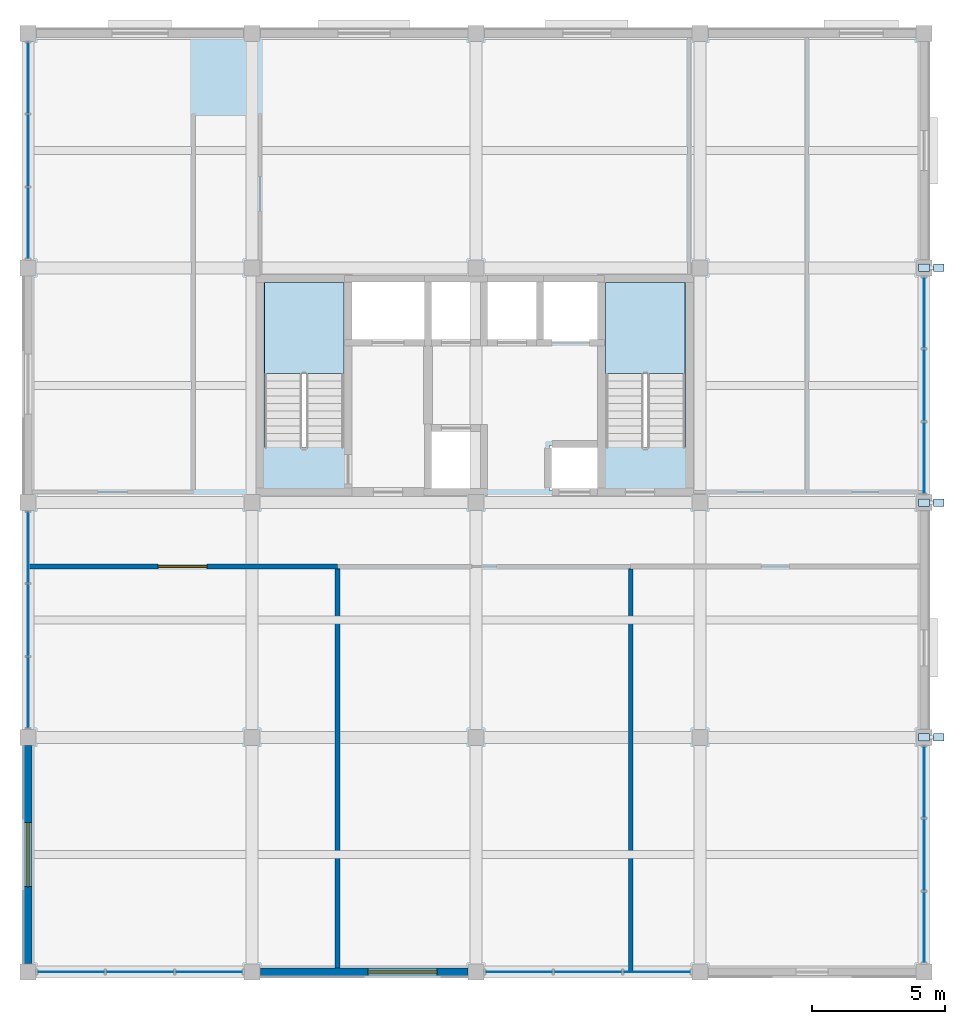
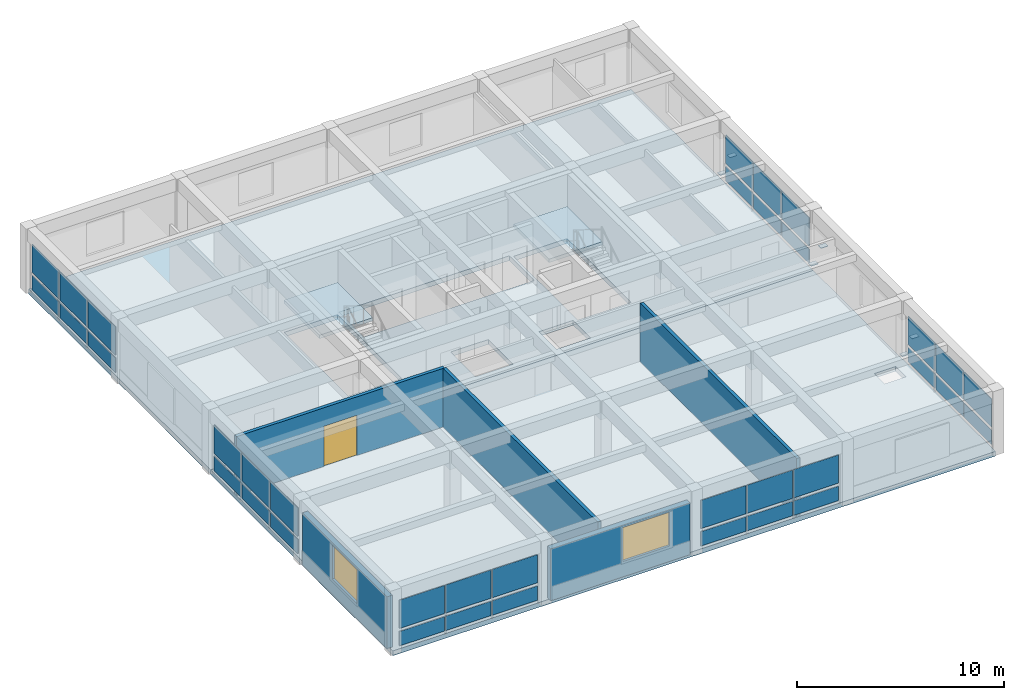
# One storey, part 6 of 12: 42 plates, 5 walls, 4 slabs, 2 windows, 1 door, 3 openings, 8 elements without a shape of their own.
"""IFC4 building model written with IfcOpenShell, lengths in metres."""

import ifcopenshell
import ifcopenshell.guid

model = None  # the IFC model being written
_history = None  # IfcOwnerHistory: only IFC2X3 demands one
_inside = {}  # id of a spatial element -> (the spatial element, [elements in it])
_under = {}  # id of a project, library or spatial element -> (it, [spatial elements below it])
_declared = {}  # id of a project -> (the project, [libraries it declares])
_typed = {}  # id of a type object -> (the type object, [elements of that type])
_made_of = {}  # id of a material, layer set ... -> (it, [elements and type objects made of it])


def new_model(schema):
    """Start an empty IFC model of exactly this schema.

    Asked for "IFC4X3", IfcOpenShell would pick the latest addendum, in which some entities
    have other attributes; the version numbers below select the first issue.
    IFC2X3 requires an IfcOwnerHistory on every rooted entity: one is made here for all.
    """
    global model, _history
    if schema == "IFC4X3":
        model = ifcopenshell.file(schema_version=(4, 3, 0, 0))
    else:
        model = ifcopenshell.file(schema=schema)
    _inside.clear()
    _under.clear()
    _declared.clear()
    _typed.clear()
    _made_of.clear()
    _history = None
    if model.schema == "IFC2X3":
        org = make("IfcOrganization", Name="unknown")
        user = make(
            "IfcPersonAndOrganization",
            ThePerson=make("IfcPerson", FamilyName="unknown"),
            TheOrganization=org,
        )
        app = make(
            "IfcApplication",
            ApplicationDeveloper=org,
            Version="unknown",
            ApplicationFullName="unknown",
            ApplicationIdentifier="unknown",
        )
        _history = make(
            "IfcOwnerHistory",
            OwningUser=user,
            OwningApplication=app,
            ChangeAction="ADDED",
            CreationDate=0,
        )
    return model


def make(cls, **values):
    """One entity of the class cls with the attributes given. An attribute that is None is left unset."""
    return model.create_entity(
        cls, **{name: value for name, value in values.items() if value is not None}
    )


def rooted(cls, **values):
    """An entity with a GlobalId (a new one), such as an element, a storey or a relation."""
    return make(cls, GlobalId=ifcopenshell.guid.new(), OwnerHistory=_history, **values)


def si_unit(unit_type, name, prefix=None):
    """IfcSIUnit, for example si_unit("LENGTHUNIT", "METRE", prefix="MILLI")."""
    return make("IfcSIUnit", UnitType=unit_type, Prefix=prefix, Name=name)


def assignment(units):
    """IfcUnitAssignment: the units of a project."""
    return None if units is None else make("IfcUnitAssignment", Units=units)


def point(xyz):
    """IfcCartesianPoint."""
    return None if xyz is None else make("IfcCartesianPoint", Coordinates=xyz)


def direction(xyz):
    """IfcDirection."""
    return None if xyz is None else make("IfcDirection", DirectionRatios=xyz)


def frame(location, z_axis=None, x_axis=None):
    """IfcAxis2Placement3D, a coordinate frame: its origin and axes. An axis left out is left unset."""
    return make(
        "IfcAxis2Placement3D",
        Location=point(location),
        Axis=direction(z_axis),
        RefDirection=direction(x_axis),
    )


def frame_2d(location, x_axis=None):
    """IfcAxis2Placement2D, a coordinate frame in the plane: its origin and x axis."""
    return make(
        "IfcAxis2Placement2D", Location=point(location), RefDirection=direction(x_axis)
    )


def origin():
    """The frame at (0, 0, 0) with its axes left unset."""
    return frame((0.0, 0.0, 0.0))


def origin_2d():
    """The frame at (0, 0) in the plane with its x axis left unset."""
    return frame_2d((0.0, 0.0))


def place(relative_to, where):
    """IfcLocalPlacement: puts the frame where relative to a parent placement (None: the world)."""
    return make(
        "IfcLocalPlacement", PlacementRelTo=relative_to, RelativePlacement=where
    )


def context(
    kind, dimensions, precision=None, world=None, true_north=None, identifier=None
):
    """IfcGeometricRepresentationContext, for example the 3D "Model" context."""
    return make(
        "IfcGeometricRepresentationContext",
        ContextIdentifier=identifier,
        ContextType=kind,
        CoordinateSpaceDimension=dimensions,
        Precision=precision,
        WorldCoordinateSystem=world,
        TrueNorth=true_north,
    )


def subcontext(parent, identifier, kind, view, scale=None):
    """IfcGeometricRepresentationSubContext, for example "Body" below "Model"."""
    return make(
        "IfcGeometricRepresentationSubContext",
        ContextIdentifier=identifier,
        ContextType=kind,
        ParentContext=parent,
        TargetScale=scale,
        TargetView=view,
    )


def project(units=None, contexts=None):
    """IfcProject with its units and contexts."""
    return rooted(
        "IfcProject",
        Name="project",
        RepresentationContexts=contexts,
        UnitsInContext=assignment(units),
    )


def spatial(cls, under=None, at=None, **own):
    """A site, building, storey or space (cls), placed at a placement, below another one or the project."""
    s = rooted(cls, ObjectPlacement=at, **own)
    if under is not None:
        _under.setdefault(under.id(), (under, []))[1].append(s)
    return s


def polyline(points):
    """IfcPolyline through the points."""
    return make("IfcPolyline", Points=[point(p) for p in points])


def profile(cls, at=None, kind="AREA", **sizes):
    """A parametric profile (cls). Its sizes go by their IFC names, for example OverallWidth=200.0."""
    return make(cls, ProfileType=kind, Position=at, **sizes)


def rectangle(**sizes):
    """IfcRectangleProfileDef."""
    return profile("IfcRectangleProfileDef", **sizes)


def outline(outer, holes=None, kind="AREA"):
    """IfcArbitraryClosedProfileDef: a profile drawn as a closed curve; with holes, ...WithVoids."""
    if holes is None:
        return make("IfcArbitraryClosedProfileDef", ProfileType=kind, OuterCurve=outer)
    return make(
        "IfcArbitraryProfileDefWithVoids",
        ProfileType=kind,
        OuterCurve=outer,
        InnerCurves=holes,
    )


def extrude(swept, where, along, depth):
    """IfcExtrudedAreaSolid: the profile swept, set in the frame where, extruded along a direction by depth."""
    return make(
        "IfcExtrudedAreaSolid",
        SweptArea=swept,
        Position=where,
        ExtrudedDirection=direction(along),
        Depth=depth,
    )


def shape(context_of_items, identifier, shape_type, items):
    """IfcShapeRepresentation: the items that make up one representation, for example the "Body"."""
    return make(
        "IfcShapeRepresentation",
        ContextOfItems=context_of_items,
        RepresentationIdentifier=identifier,
        RepresentationType=shape_type,
        Items=items,
    )


def material(Name=None, Category=None):
    """IfcMaterial."""
    return make("IfcMaterial", Name=Name, Category=Category)


def layer(
    of_material, thickness, ventilated=None, Name=None, Category=None, Priority=None
):
    """IfcMaterialLayer: one layer of a wall or slab, of a material (None: an air gap)."""
    return make(
        "IfcMaterialLayer",
        Material=of_material,
        LayerThickness=thickness,
        IsVentilated=ventilated,
        Name=Name,
        Category=Category,
        Priority=Priority,
    )


def layer_set(layers, Name=None):
    """IfcMaterialLayerSet."""
    return make("IfcMaterialLayerSet", MaterialLayers=layers, LayerSetName=Name)


def made_of(thing, what):
    """Note that an element or type object is made of a material, layer set ...; save() writes the relation."""
    if what is not None:
        _made_of.setdefault(what.id(), (what, []))[1].append(thing)
    return thing


def type_object(cls, material=None, **own):
    """A type object (cls), such as IfcWallType, which elements share."""
    return made_of(rooted(cls, **own), material)


def element(
    cls,
    number,
    at=None,
    inside=None,
    cuts=None,
    type_object=None,
    material=None,
    context=None,
    identifier="Body",
    shape_type=None,
    held_by="IfcProductDefinitionShape",
    body=None,
    shapes=None,
    **own,
):
    """One element of the class cls, such as IfcWall. Its Tag is "e" and its number.

    at: its placement. inside: the storey or other place that contains it. cuts: it is an
    opening in that element (IfcRelVoidsElement). A single representation is given by context,
    identifier, shape_type and body (its items); several are given by shapes. held_by: the class
    of the entity that holds the representations. save() writes the other relations.
    """
    e = rooted(cls, Tag="e%d" % number, ObjectPlacement=at, **own)
    if body is not None:
        shapes = [shape(context, identifier, shape_type, body)]
    if shapes is not None:
        e.Representation = make(held_by, Representations=shapes)
    if inside is not None:
        _inside.setdefault(inside.id(), (inside, []))[1].append(e)
    if cuts is not None:
        rooted(
            "IfcRelVoidsElement", RelatingBuildingElement=cuts, RelatedOpeningElement=e
        )
    if type_object is not None:
        _typed.setdefault(type_object.id(), (type_object, []))[1].append(e)
    return made_of(e, material)


def fill(opening, filler):
    """IfcRelFillsElement: the door or window that sits in an opening."""
    return rooted(
        "IfcRelFillsElement",
        RelatingOpeningElement=opening,
        RelatedBuildingElement=filler,
    )


def aggregate(whole, parts):
    """IfcRelAggregates: a whole, such as a stair, and the parts it consists of."""
    return rooted("IfcRelAggregates", RelatingObject=whole, RelatedObjects=parts)


def save(model, path):
    """Write the relations noted so far, then the file.

    IfcRelAggregates (storeys below a building ...), IfcRelContainedInSpatialStructure (elements
    in a storey), IfcRelDefinesByType, IfcRelAssociatesMaterial and IfcRelDeclares: one each for
    every whole, place, type object, material and project.
    """
    for whole, parts in _under.values():
        aggregate(whole, parts)
    for where, things in _inside.values():
        rooted(
            "IfcRelContainedInSpatialStructure",
            RelatedElements=things,
            RelatingStructure=where,
        )
    for kind, things in _typed.values():
        rooted("IfcRelDefinesByType", RelatedObjects=things, RelatingType=kind)
    for what, things in _made_of.values():
        rooted("IfcRelAssociatesMaterial", RelatedObjects=things, RelatingMaterial=what)
    for by, libraries in _declared.values():
        rooted("IfcRelDeclares", RelatingContext=by, RelatedDefinitions=libraries)
    model.write(path)


model = new_model("IFC4")

# Units and contexts
model_context = context("Model", 3, precision=1e-05, world=origin(), true_north=direction((0.0, 1.0)))
body_context = subcontext(model_context, "Body", "Model", "MODEL_VIEW")
ifc_project = project(units=[si_unit("LENGTHUNIT", "METRE"), si_unit("AREAUNIT", "SQUARE_METRE"), si_unit("VOLUMEUNIT", "CUBIC_METRE"), si_unit("PLANEANGLEUNIT", "RADIAN"), si_unit("MASSUNIT", "GRAM", prefix="KILO")], contexts=[model_context])

# Site, building, storey
site_placement = place(None, origin())
site = spatial("IfcSite", under=ifc_project, at=site_placement, CompositionType="ELEMENT")
building_placement = place(site_placement, origin())
building = spatial("IfcBuilding", under=site, at=building_placement, Name="Kemercrest Conservatory and Botanical Centre", CompositionType="ELEMENT")
storey_placement = place(building_placement, frame((0.0, 0.0, 52.199951171875)))
storey = spatial("IfcBuildingStorey", under=building, at=storey_placement, Name="L13", CompositionType="ELEMENT", Elevation=52.199951171875)

# Curtain wall, plates
ifc_material_1 = material(Name="Thermally broken aluminium and triple low-e glazing", Category="aluminium")
curtain_wall_type_1 = type_object("IfcCurtainWallType", Name="CW-14", PredefinedType="USERDEFINED", material=ifc_material_1)
curtain_wall_1_placement = place(storey_placement, origin())
curtain_wall_1 = element("IfcCurtainWall", 1, at=curtain_wall_1_placement, inside=storey, type_object=curtain_wall_type_1, Name="Unitised curtain wall CW-14 (CW:L13:V4-133)", ObjectType="UNITISED CURTAIN WALL", PredefinedType="USERDEFINED")
ifc_material_2 = material(Name="Triple low-e argon insulated glazing unit", Category="glass")
ifc_layer_1 = layer(ifc_material_2, 0.035888671875)
ifc_layer_set_1 = layer_set([ifc_layer_1], Name="Triple low-e argon insulated glazing unit")
plate_type_1 = type_object("IfcPlateType", Name="CW-PNL036", PredefinedType="CURTAIN_PANEL", material=ifc_layer_set_1)
plate_1_placement = place(storey_placement, frame((144.012939453125, 87.199951171875, 0.179931640625), z_axis=(0.0, 0.0, 1.0), x_axis=(1.0, 0.0, 0.0)))
plate_1 = element("IfcPlate", 2, at=plate_1_placement, type_object=plate_type_1, Name="CW-14 panel 1.1", PredefinedType="CURTAIN_PANEL", context=body_context, shape_type="SweptSolid", body=[
    extrude(rectangle(XDim=2.505859375, YDim=0.035888671875, at=origin_2d()), origin(), (0.0, 0.0, 1.0), 0.85009765625),
])
plate_2_placement = place(storey_placement, frame((144.012939453125, 87.199951171875, 1.2099609375), z_axis=(0.0, 0.0, 1.0), x_axis=(1.0, 0.0, 0.0)))
plate_2 = element("IfcPlate", 3, at=plate_2_placement, type_object=plate_type_1, Name="CW-14 panel 1.2", PredefinedType="CURTAIN_PANEL", context=body_context, shape_type="SweptSolid", body=[
    extrude(rectangle(XDim=2.505859375, YDim=0.035888671875, at=origin_2d()), origin(), (0.0, 0.0, 1.0), 1.6650390625),
])
plate_3_placement = place(storey_placement, frame((146.60009765625, 87.199951171875, 0.179931640625), z_axis=(0.0, 0.0, 1.0), x_axis=(1.0, 0.0, 0.0)))
plate_3 = element("IfcPlate", 4, at=plate_3_placement, type_object=plate_type_1, Name="CW-14 panel 2.1", PredefinedType="CURTAIN_PANEL", context=body_context, shape_type="SweptSolid", body=[
    extrude(rectangle(XDim=2.538330078125, YDim=0.035888671875, at=origin_2d()), origin(), (0.0, 0.0, 1.0), 0.85009765625),
])
plate_4_placement = place(storey_placement, frame((146.60009765625, 87.199951171875, 1.2099609375), z_axis=(0.0, 0.0, 1.0), x_axis=(1.0, 0.0, 0.0)))
plate_4 = element("IfcPlate", 5, at=plate_4_placement, type_object=plate_type_1, Name="CW-14 panel 2.2", PredefinedType="CURTAIN_PANEL", context=body_context, shape_type="SweptSolid", body=[
    extrude(rectangle(XDim=2.538330078125, YDim=0.035888671875, at=origin_2d()), origin(), (0.0, 0.0, 1.0), 1.6650390625),
])
plate_5_placement = place(storey_placement, frame((149.18701171875, 87.199951171875, 0.179931640625), z_axis=(0.0, 0.0, 1.0), x_axis=(1.0, 0.0, 0.0)))
plate_5 = element("IfcPlate", 6, at=plate_5_placement, type_object=plate_type_1, Name="CW-14 panel 3.1", PredefinedType="CURTAIN_PANEL", context=body_context, shape_type="SweptSolid", body=[
    extrude(rectangle(XDim=2.505859375, YDim=0.035888671875, at=origin_2d()), origin(), (0.0, 0.0, 1.0), 0.85009765625),
])
plate_6_placement = place(storey_placement, frame((149.18701171875, 87.199951171875, 1.2099609375), z_axis=(0.0, 0.0, 1.0), x_axis=(1.0, 0.0, 0.0)))
plate_6 = element("IfcPlate", 7, at=plate_6_placement, type_object=plate_type_1, Name="CW-14 panel 3.2", PredefinedType="CURTAIN_PANEL", context=body_context, shape_type="SweptSolid", body=[
    extrude(rectangle(XDim=2.505859375, YDim=0.035888671875, at=origin_2d()), origin(), (0.0, 0.0, 1.0), 1.6650390625),
])
aggregate(curtain_wall_1, [plate_1, plate_2, plate_3, plate_4, plate_5, plate_6])

curtain_wall_type_2 = type_object("IfcCurtainWallType", Name="CW-15", PredefinedType="USERDEFINED", material=ifc_material_1)
curtain_wall_2_placement = place(storey_placement, origin())
curtain_wall_2 = element("IfcCurtainWall", 8, at=curtain_wall_2_placement, inside=storey, type_object=curtain_wall_type_2, Name="Unitised curtain wall CW-15 (CW:L13:V4-134)", ObjectType="UNITISED CURTAIN WALL", PredefinedType="USERDEFINED")
plate_7_placement = place(storey_placement, frame((160.81298828125, 87.199951171875, 0.179931640625), z_axis=(0.0, 0.0, 1.0), x_axis=(1.0, 0.0, 0.0)))
plate_7 = element("IfcPlate", 9, at=plate_7_placement, type_object=plate_type_1, Name="CW-15 panel 1.1", PredefinedType="CURTAIN_PANEL", context=body_context, shape_type="SweptSolid", body=[
    extrude(rectangle(XDim=2.505859375, YDim=0.035888671875, at=origin_2d()), origin(), (0.0, 0.0, 1.0), 0.85009765625),
])
plate_8_placement = place(storey_placement, frame((160.81298828125, 87.199951171875, 1.2099609375), z_axis=(0.0, 0.0, 1.0), x_axis=(1.0, 0.0, 0.0)))
plate_8 = element("IfcPlate", 10, at=plate_8_placement, type_object=plate_type_1, Name="CW-15 panel 1.2", PredefinedType="CURTAIN_PANEL", context=body_context, shape_type="SweptSolid", body=[
    extrude(rectangle(XDim=2.505859375, YDim=0.035888671875, at=origin_2d()), origin(), (0.0, 0.0, 1.0), 1.6650390625),
])
plate_9_placement = place(storey_placement, frame((163.39990234375, 87.199951171875, 0.179931640625), z_axis=(0.0, 0.0, 1.0), x_axis=(1.0, 0.0, 0.0)))
plate_9 = element("IfcPlate", 11, at=plate_9_placement, type_object=plate_type_1, Name="CW-15 panel 2.1", PredefinedType="CURTAIN_PANEL", context=body_context, shape_type="SweptSolid", body=[
    extrude(rectangle(XDim=2.538330078125, YDim=0.035888671875, at=origin_2d()), origin(), (0.0, 0.0, 1.0), 0.85009765625),
])
plate_10_placement = place(storey_placement, frame((163.39990234375, 87.199951171875, 1.2099609375), z_axis=(0.0, 0.0, 1.0), x_axis=(1.0, 0.0, 0.0)))
plate_10 = element("IfcPlate", 12, at=plate_10_placement, type_object=plate_type_1, Name="CW-15 panel 2.2", PredefinedType="CURTAIN_PANEL", context=body_context, shape_type="SweptSolid", body=[
    extrude(rectangle(XDim=2.538330078125, YDim=0.035888671875, at=origin_2d()), origin(), (0.0, 0.0, 1.0), 1.6650390625),
])
plate_11_placement = place(storey_placement, frame((165.987060546875, 87.199951171875, 0.179931640625), z_axis=(0.0, 0.0, 1.0), x_axis=(1.0, 0.0, 0.0)))
plate_11 = element("IfcPlate", 13, at=plate_11_placement, type_object=plate_type_1, Name="CW-15 panel 3.1", PredefinedType="CURTAIN_PANEL", context=body_context, shape_type="SweptSolid", body=[
    extrude(rectangle(XDim=2.505859375, YDim=0.035888671875, at=origin_2d()), origin(), (0.0, 0.0, 1.0), 0.85009765625),
])
plate_12_placement = place(storey_placement, frame((165.987060546875, 87.199951171875, 1.2099609375), z_axis=(0.0, 0.0, 1.0), x_axis=(1.0, 0.0, 0.0)))
plate_12 = element("IfcPlate", 14, at=plate_12_placement, type_object=plate_type_1, Name="CW-15 panel 3.2", PredefinedType="CURTAIN_PANEL", context=body_context, shape_type="SweptSolid", body=[
    extrude(rectangle(XDim=2.505859375, YDim=0.035888671875, at=origin_2d()), origin(), (0.0, 0.0, 1.0), 1.6650390625),
])
aggregate(curtain_wall_2, [plate_7, plate_8, plate_9, plate_10, plate_11, plate_12])

curtain_wall_type_3 = type_object("IfcCurtainWallType", Name="CW-16", PredefinedType="USERDEFINED", material=ifc_material_1)
curtain_wall_3_placement = place(storey_placement, origin())
curtain_wall_3 = element("IfcCurtainWall", 15, at=curtain_wall_3_placement, inside=storey, type_object=curtain_wall_type_3, Name="Unitised curtain wall CW-16 (CW:L13:V4-135)", ObjectType="UNITISED CURTAIN WALL", PredefinedType="USERDEFINED")
plate_13_placement = place(storey_placement, frame((176.0, 88.879638671875, 0.179931640625), z_axis=(0.0, 0.0, 1.0), x_axis=(0.0, 1.0, 0.0)))
plate_13 = element("IfcPlate", 16, at=plate_13_placement, type_object=plate_type_1, Name="CW-16 panel 1.1", PredefinedType="CURTAIN_PANEL", context=body_context, shape_type="SweptSolid", body=[
    extrude(rectangle(XDim=2.63916015625, YDim=0.035888671875, at=origin_2d()), origin(), (0.0, 0.0, 1.0), 0.85009765625),
])
plate_14_placement = place(storey_placement, frame((176.0, 88.879638671875, 1.2099609375), z_axis=(0.0, 0.0, 1.0), x_axis=(0.0, 1.0, 0.0)))
plate_14 = element("IfcPlate", 17, at=plate_14_placement, type_object=plate_type_1, Name="CW-16 panel 1.2", PredefinedType="CURTAIN_PANEL", context=body_context, shape_type="SweptSolid", body=[
    extrude(rectangle(XDim=2.63916015625, YDim=0.035888671875, at=origin_2d()), origin(), (0.0, 0.0, 1.0), 1.6650390625),
])
plate_15_placement = place(storey_placement, frame((176.0, 91.60009765625, 0.179931640625), z_axis=(0.0, 0.0, 1.0), x_axis=(0.0, 1.0, 0.0)))
plate_15 = element("IfcPlate", 18, at=plate_15_placement, type_object=plate_type_1, Name="CW-16 panel 2.1", PredefinedType="CURTAIN_PANEL", context=body_context, shape_type="SweptSolid", body=[
    extrude(rectangle(XDim=2.671630859375, YDim=0.035888671875, at=origin_2d()), origin(), (0.0, 0.0, 1.0), 0.85009765625),
])
plate_16_placement = place(storey_placement, frame((176.0, 91.60009765625, 1.2099609375), z_axis=(0.0, 0.0, 1.0), x_axis=(0.0, 1.0, 0.0)))
plate_16 = element("IfcPlate", 19, at=plate_16_placement, type_object=plate_type_1, Name="CW-16 panel 2.2", PredefinedType="CURTAIN_PANEL", context=body_context, shape_type="SweptSolid", body=[
    extrude(rectangle(XDim=2.671630859375, YDim=0.035888671875, at=origin_2d()), origin(), (0.0, 0.0, 1.0), 1.6650390625),
])
plate_17_placement = place(storey_placement, frame((176.0, 94.3203125, 0.179931640625), z_axis=(0.0, 0.0, 1.0), x_axis=(0.0, 1.0, 0.0)))
plate_17 = element("IfcPlate", 20, at=plate_17_placement, type_object=plate_type_1, Name="CW-16 panel 3.1", PredefinedType="CURTAIN_PANEL", context=body_context, shape_type="SweptSolid", body=[
    extrude(rectangle(XDim=2.63916015625, YDim=0.035888671875, at=origin_2d()), origin(), (0.0, 0.0, 1.0), 0.85009765625),
])
plate_18_placement = place(storey_placement, frame((176.0, 94.3203125, 1.2099609375), z_axis=(0.0, 0.0, 1.0), x_axis=(0.0, 1.0, 0.0)))
plate_18 = element("IfcPlate", 21, at=plate_18_placement, type_object=plate_type_1, Name="CW-16 panel 3.2", PredefinedType="CURTAIN_PANEL", context=body_context, shape_type="SweptSolid", body=[
    extrude(rectangle(XDim=2.63916015625, YDim=0.035888671875, at=origin_2d()), origin(), (0.0, 0.0, 1.0), 1.6650390625),
])
aggregate(curtain_wall_3, [plate_13, plate_14, plate_15, plate_16, plate_17, plate_18])

curtain_wall_type_4 = type_object("IfcCurtainWallType", Name="CW-17", PredefinedType="USERDEFINED", material=ifc_material_1)
curtain_wall_4_placement = place(storey_placement, origin())
curtain_wall_4 = element("IfcCurtainWall", 22, at=curtain_wall_4_placement, inside=storey, type_object=curtain_wall_type_4, Name="Unitised curtain wall CW-17 (CW:L13:V4-136)", ObjectType="UNITISED CURTAIN WALL", PredefinedType="USERDEFINED")
plate_19_placement = place(storey_placement, frame((176.0, 106.4794921875, 0.179931640625), z_axis=(0.0, 0.0, 1.0), x_axis=(0.0, 1.0, 0.0)))
plate_19 = element("IfcPlate", 23, at=plate_19_placement, type_object=plate_type_1, Name="CW-17 panel 1.1", PredefinedType="CURTAIN_PANEL", context=body_context, shape_type="SweptSolid", body=[
    extrude(rectangle(XDim=2.63916015625, YDim=0.035888671875, at=origin_2d()), origin(), (0.0, 0.0, 1.0), 0.85009765625),
])
plate_20_placement = place(storey_placement, frame((176.0, 106.4794921875, 1.2099609375), z_axis=(0.0, 0.0, 1.0), x_axis=(0.0, 1.0, 0.0)))
plate_20 = element("IfcPlate", 24, at=plate_20_placement, type_object=plate_type_1, Name="CW-17 panel 1.2", PredefinedType="CURTAIN_PANEL", context=body_context, shape_type="SweptSolid", body=[
    extrude(rectangle(XDim=2.63916015625, YDim=0.035888671875, at=origin_2d()), origin(), (0.0, 0.0, 1.0), 1.6650390625),
])
plate_21_placement = place(storey_placement, frame((176.0, 109.199951171875, 0.179931640625), z_axis=(0.0, 0.0, 1.0), x_axis=(0.0, 1.0, 0.0)))
plate_21 = element("IfcPlate", 25, at=plate_21_placement, type_object=plate_type_1, Name="CW-17 panel 2.1", PredefinedType="CURTAIN_PANEL", context=body_context, shape_type="SweptSolid", body=[
    extrude(rectangle(XDim=2.671630859375, YDim=0.035888671875, at=origin_2d()), origin(), (0.0, 0.0, 1.0), 0.85009765625),
])
plate_22_placement = place(storey_placement, frame((176.0, 109.199951171875, 1.2099609375), z_axis=(0.0, 0.0, 1.0), x_axis=(0.0, 1.0, 0.0)))
plate_22 = element("IfcPlate", 26, at=plate_22_placement, type_object=plate_type_1, Name="CW-17 panel 2.2", PredefinedType="CURTAIN_PANEL", context=body_context, shape_type="SweptSolid", body=[
    extrude(rectangle(XDim=2.671630859375, YDim=0.035888671875, at=origin_2d()), origin(), (0.0, 0.0, 1.0), 1.6650390625),
])
plate_23_placement = place(storey_placement, frame((176.0, 111.92041015625, 0.179931640625), z_axis=(0.0, 0.0, 1.0), x_axis=(0.0, 1.0, 0.0)))
plate_23 = element("IfcPlate", 27, at=plate_23_placement, type_object=plate_type_1, Name="CW-17 panel 3.1", PredefinedType="CURTAIN_PANEL", context=body_context, shape_type="SweptSolid", body=[
    extrude(rectangle(XDim=2.63916015625, YDim=0.035888671875, at=origin_2d()), origin(), (0.0, 0.0, 1.0), 0.85009765625),
])
plate_24_placement = place(storey_placement, frame((176.0, 111.92041015625, 1.2099609375), z_axis=(0.0, 0.0, 1.0), x_axis=(0.0, 1.0, 0.0)))
plate_24 = element("IfcPlate", 28, at=plate_24_placement, type_object=plate_type_1, Name="CW-17 panel 3.2", PredefinedType="CURTAIN_PANEL", context=body_context, shape_type="SweptSolid", body=[
    extrude(rectangle(XDim=2.63916015625, YDim=0.035888671875, at=origin_2d()), origin(), (0.0, 0.0, 1.0), 1.6650390625),
])
aggregate(curtain_wall_4, [plate_19, plate_20, plate_21, plate_22, plate_23, plate_24])

curtain_wall_type_5 = type_object("IfcCurtainWallType", Name="CW-18", PredefinedType="USERDEFINED", material=ifc_material_1)
curtain_wall_5_placement = place(storey_placement, origin())
curtain_wall_5 = element("IfcCurtainWall", 29, at=curtain_wall_5_placement, inside=storey, type_object=curtain_wall_type_5, Name="Unitised curtain wall CW-18 (CW:L13:V4-137)", ObjectType="UNITISED CURTAIN WALL", PredefinedType="USERDEFINED")
plate_25_placement = place(storey_placement, frame((142.39990234375, 120.720458984375, 0.179931640625), z_axis=(0.0, 0.0, 1.0), x_axis=(0.0, -1.0, 0.0)))
plate_25 = element("IfcPlate", 30, at=plate_25_placement, type_object=plate_type_1, Name="CW-18 panel 1.1", PredefinedType="CURTAIN_PANEL", context=body_context, shape_type="SweptSolid", body=[
    extrude(rectangle(XDim=2.63916015625, YDim=0.035888671875, at=origin_2d()), origin(), (0.0, 0.0, 1.0), 0.85009765625),
])
plate_26_placement = place(storey_placement, frame((142.39990234375, 120.720458984375, 1.2099609375), z_axis=(0.0, 0.0, 1.0), x_axis=(0.0, -1.0, 0.0)))
plate_26 = element("IfcPlate", 31, at=plate_26_placement, type_object=plate_type_1, Name="CW-18 panel 1.2", PredefinedType="CURTAIN_PANEL", context=body_context, shape_type="SweptSolid", body=[
    extrude(rectangle(XDim=2.63916015625, YDim=0.035888671875, at=origin_2d()), origin(), (0.0, 0.0, 1.0), 1.6650390625),
])
plate_27_placement = place(storey_placement, frame((142.39990234375, 118.0, 0.179931640625), z_axis=(0.0, 0.0, 1.0), x_axis=(0.0, -1.0, 0.0)))
plate_27 = element("IfcPlate", 32, at=plate_27_placement, type_object=plate_type_1, Name="CW-18 panel 2.1", PredefinedType="CURTAIN_PANEL", context=body_context, shape_type="SweptSolid", body=[
    extrude(rectangle(XDim=2.671630859375, YDim=0.035888671875, at=origin_2d()), origin(), (0.0, 0.0, 1.0), 0.85009765625),
])
plate_28_placement = place(storey_placement, frame((142.39990234375, 118.0, 1.2099609375), z_axis=(0.0, 0.0, 1.0), x_axis=(0.0, -1.0, 0.0)))
plate_28 = element("IfcPlate", 33, at=plate_28_placement, type_object=plate_type_1, Name="CW-18 panel 2.2", PredefinedType="CURTAIN_PANEL", context=body_context, shape_type="SweptSolid", body=[
    extrude(rectangle(XDim=2.671630859375, YDim=0.035888671875, at=origin_2d()), origin(), (0.0, 0.0, 1.0), 1.6650390625),
])
plate_29_placement = place(storey_placement, frame((142.39990234375, 115.279541015625, 0.179931640625), z_axis=(0.0, 0.0, 1.0), x_axis=(0.0, -1.0, 0.0)))
plate_29 = element("IfcPlate", 34, at=plate_29_placement, type_object=plate_type_1, Name="CW-18 panel 3.1", PredefinedType="CURTAIN_PANEL", context=body_context, shape_type="SweptSolid", body=[
    extrude(rectangle(XDim=2.63916015625, YDim=0.035888671875, at=origin_2d()), origin(), (0.0, 0.0, 1.0), 0.85009765625),
])
plate_30_placement = place(storey_placement, frame((142.39990234375, 115.279541015625, 1.2099609375), z_axis=(0.0, 0.0, 1.0), x_axis=(0.0, -1.0, 0.0)))
plate_30 = element("IfcPlate", 35, at=plate_30_placement, type_object=plate_type_1, Name="CW-18 panel 3.2", PredefinedType="CURTAIN_PANEL", context=body_context, shape_type="SweptSolid", body=[
    extrude(rectangle(XDim=2.63916015625, YDim=0.035888671875, at=origin_2d()), origin(), (0.0, 0.0, 1.0), 1.6650390625),
])
aggregate(curtain_wall_5, [plate_25, plate_26, plate_27, plate_28, plate_29, plate_30])

curtain_wall_type_6 = type_object("IfcCurtainWallType", Name="CW-19", PredefinedType="USERDEFINED", material=ifc_material_1)
curtain_wall_6_placement = place(storey_placement, origin())
curtain_wall_6 = element("IfcCurtainWall", 36, at=curtain_wall_6_placement, inside=storey, type_object=curtain_wall_type_6, Name="Unitised curtain wall CW-19 (CW:L13:V4-138)", ObjectType="UNITISED CURTAIN WALL", PredefinedType="USERDEFINED")
plate_31_placement = place(storey_placement, frame((142.39990234375, 103.120361328125, 0.179931640625), z_axis=(0.0, 0.0, 1.0), x_axis=(0.0, -1.0, 0.0)))
plate_31 = element("IfcPlate", 37, at=plate_31_placement, type_object=plate_type_1, Name="CW-19 panel 1.1", PredefinedType="CURTAIN_PANEL", context=body_context, shape_type="SweptSolid", body=[
    extrude(rectangle(XDim=2.63916015625, YDim=0.035888671875, at=origin_2d()), origin(), (0.0, 0.0, 1.0), 0.85009765625),
])
plate_32_placement = place(storey_placement, frame((142.39990234375, 103.120361328125, 1.2099609375), z_axis=(0.0, 0.0, 1.0), x_axis=(0.0, -1.0, 0.0)))
plate_32 = element("IfcPlate", 38, at=plate_32_placement, type_object=plate_type_1, Name="CW-19 panel 1.2", PredefinedType="CURTAIN_PANEL", context=body_context, shape_type="SweptSolid", body=[
    extrude(rectangle(XDim=2.63916015625, YDim=0.035888671875, at=origin_2d()), origin(), (0.0, 0.0, 1.0), 1.6650390625),
])
plate_33_placement = place(storey_placement, frame((142.39990234375, 100.39990234375, 0.179931640625), z_axis=(0.0, 0.0, 1.0), x_axis=(0.0, -1.0, 0.0)))
plate_33 = element("IfcPlate", 39, at=plate_33_placement, type_object=plate_type_1, Name="CW-19 panel 2.1", PredefinedType="CURTAIN_PANEL", context=body_context, shape_type="SweptSolid", body=[
    extrude(rectangle(XDim=2.671630859375, YDim=0.035888671875, at=origin_2d()), origin(), (0.0, 0.0, 1.0), 0.85009765625),
])
plate_34_placement = place(storey_placement, frame((142.39990234375, 100.39990234375, 1.2099609375), z_axis=(0.0, 0.0, 1.0), x_axis=(0.0, -1.0, 0.0)))
plate_34 = element("IfcPlate", 40, at=plate_34_placement, type_object=plate_type_1, Name="CW-19 panel 2.2", PredefinedType="CURTAIN_PANEL", context=body_context, shape_type="SweptSolid", body=[
    extrude(rectangle(XDim=2.671630859375, YDim=0.035888671875, at=origin_2d()), origin(), (0.0, 0.0, 1.0), 1.6650390625),
])
plate_35_placement = place(storey_placement, frame((142.39990234375, 97.6796875, 0.179931640625), z_axis=(0.0, 0.0, 1.0), x_axis=(0.0, -1.0, 0.0)))
plate_35 = element("IfcPlate", 41, at=plate_35_placement, type_object=plate_type_1, Name="CW-19 panel 3.1", PredefinedType="CURTAIN_PANEL", context=body_context, shape_type="SweptSolid", body=[
    extrude(rectangle(XDim=2.63916015625, YDim=0.035888671875, at=origin_2d()), origin(), (0.0, 0.0, 1.0), 0.85009765625),
])
plate_36_placement = place(storey_placement, frame((142.39990234375, 97.6796875, 1.2099609375), z_axis=(0.0, 0.0, 1.0), x_axis=(0.0, -1.0, 0.0)))
plate_36 = element("IfcPlate", 42, at=plate_36_placement, type_object=plate_type_1, Name="CW-19 panel 3.2", PredefinedType="CURTAIN_PANEL", context=body_context, shape_type="SweptSolid", body=[
    extrude(rectangle(XDim=2.63916015625, YDim=0.035888671875, at=origin_2d()), origin(), (0.0, 0.0, 1.0), 1.6650390625),
])
aggregate(curtain_wall_6, [plate_31, plate_32, plate_33, plate_34, plate_35, plate_36])

# Plates
ifc_material_3 = material(Name="Steel CSA G40.21 350W", Category="steel")
ifc_layer_2 = layer(ifc_material_3, 0.030029296875)
ifc_layer_set_2 = layer_set([ifc_layer_2], Name="Steel CSA G40.21 350W")
plate_type_2 = type_object("IfcPlateType", Name="GN-05", PredefinedType="USERDEFINED", material=ifc_layer_set_2)
for number, where, z_axis, x_axis, name in (
    (43, (176.550048828125, 96.0, 1.23486328125), (0.0, 0.0, 1.0), (1.0, 0.0, 0.0), "Cumba knee bracket end cap plate GN-05 L13-1"),
    (44, (176.0, 96.0, 0.38525390625), (0.0, 0.0, 1.0), (1.0, 0.0, 0.0), "Cumba knee bracket wall gusset plate GN-05 L13-1"),
    (45, (176.550048828125, 104.800048828125, 1.23486328125), (0.0, 0.0, 1.0), (1.0, 0.0, 0.0), "Cumba knee bracket end cap plate GN-05 L13-2"),
    (46, (176.0, 104.800048828125, 0.38525390625), (0.0, 0.0, 1.0), (1.0, 0.0, 0.0), "Cumba knee bracket wall gusset plate GN-05 L13-2"),
    (47, (176.550048828125, 113.60009765625, 1.23486328125), (0.0, 0.0, 1.0), (1.0, 0.0, 0.0), "Cumba knee bracket end cap plate GN-05 L13-3"),
    (48, (176.0, 113.60009765625, 0.38525390625), (0.0, 0.0, 1.0), (1.0, 0.0, 0.0), "Cumba knee bracket wall gusset plate GN-05 L13-3"),
):
    element("IfcPlate", number, at=place(storey_placement, frame(where, z_axis=z_axis, x_axis=x_axis)), inside=storey, type_object=plate_type_2, Name=name, ObjectType="GUSSET PLATE", PredefinedType="USERDEFINED", context=body_context, shape_type="SweptSolid", body=[
        extrude(rectangle(XDim=0.39990234375, YDim=0.280029296875, at=origin_2d()), origin(), (0.0, 0.0, 1.0), 0.030029296875),
    ])

# Slabs
ifc_material_4 = material(Name="Concrete C40/50", Category="concrete")
ifc_layer_3 = layer(ifc_material_4, 0.280029296875)
ifc_layer_set_3 = layer_set([ifc_layer_3], Name="Concrete C40/50")
slab_type_1 = type_object("IfcSlabType", Name="SL-FL280", PredefinedType="FLOOR", material=ifc_layer_set_3)
slab_1_placement = place(storey_placement, frame((0.0, 0.0, -0.280029296875)))
element("IfcSlab", 49, at=slab_1_placement, inside=storey, type_object=slab_type_1, Name="V4 Tower L13 North Core and Studio Slab", PredefinedType="FLOOR", context=body_context, shape_type="SweptSolid", body=[
    extrude(outline(polyline([(142.39990234375, 122.39990234375), (142.39990234375, 104.800048828125), (176.0, 104.800048828125), (176.0, 122.39990234375), (142.39990234375, 122.39990234375)]), holes=[polyline([(164.06005859375, 106.864990234375), (164.06005859375, 113.06005859375), (167.0400390625, 113.06005859375), (167.0400390625, 106.864990234375), (164.06005859375, 106.864990234375)]), polyline([(154.39990234375, 110.800048828125), (154.39990234375, 113.199951171875), (163.89990234375, 113.199951171875), (163.89990234375, 110.800048828125), (154.39990234375, 110.800048828125)]), polyline([(161.949951171875, 105.25), (161.949951171875, 106.949951171875), (163.85009765625, 106.949951171875), (163.85009765625, 105.25), (161.949951171875, 105.25)]), polyline([(157.39990234375, 105.199951171875), (157.39990234375, 107.60009765625), (159.5, 107.60009765625), (159.5, 105.199951171875), (157.39990234375, 105.199951171875)]), polyline([(154.239990234375, 106.864990234375), (151.260009765625, 106.864990234375), (151.260009765625, 113.06005859375), (154.239990234375, 113.06005859375), (154.239990234375, 106.864990234375)])]), origin(), (0.0, 0.0, 1.0), 0.280029296875),
])
slab_2_placement = place(storey_placement, frame((0.0, 0.0, -0.280029296875)))
element("IfcSlab", 50, at=slab_2_placement, inside=storey, type_object=slab_type_1, Name="V4 Tower L13 South Laboratory Slab", PredefinedType="FLOOR", context=body_context, shape_type="SweptSolid", body=[
    extrude(outline(polyline([(142.39990234375, 104.800048828125), (142.39990234375, 87.199951171875), (176.0, 87.199951171875), (176.0, 104.800048828125), (142.39990234375, 104.800048828125)]), holes=[polyline([(175.39990234375, 94.800048828125), (174.199951171875, 94.800048828125), (174.199951171875, 95.800048828125), (175.39990234375, 95.800048828125), (175.39990234375, 94.800048828125)])]), origin(), (0.0, 0.0, 1.0), 0.280029296875),
])

# Stair, slab
stair_type = type_object("IfcStairType", Name="ST-142-38", PredefinedType="HALF_TURN_STAIR", material=ifc_material_4)
stair_1_placement = place(storey_placement, origin())
stair_1 = element("IfcStair", 51, at=stair_1_placement, inside=storey, type_object=stair_type, Name="L13 Exit stair ST-V4A", PredefinedType="HALF_TURN_STAIR")
ifc_layer_4 = layer(ifc_material_4, 0.199951171875)
ifc_layer_set_4 = layer_set([ifc_layer_4], Name="Concrete C40/50")
slab_type_2 = type_object("IfcSlabType", Name="SL-LND200", PredefinedType="LANDING", material=ifc_layer_set_4)
slab_3_placement = place(storey_placement, frame((0.0, 0.0, 1.699951171875)))
slab_3 = element("IfcSlab", 52, at=slab_3_placement, type_object=slab_type_2, Name="ST-V4A landing 1", PredefinedType="LANDING", context=body_context, shape_type="SweptSolid", body=[
    extrude(outline(polyline([(154.239990234375, 109.639892578125), (154.239990234375, 113.06005859375), (151.260009765625, 113.06005859375), (151.260009765625, 109.639892578125), (154.239990234375, 109.639892578125)])), origin(), (0.0, 0.0, 1.0), 0.2001953125),
])
aggregate(stair_1, [slab_3])

stair_2_placement = place(storey_placement, origin())
stair_2 = element("IfcStair", 53, at=stair_2_placement, inside=storey, type_object=stair_type, Name="L13 Exit stair ST-V4B", PredefinedType="HALF_TURN_STAIR")
slab_4_placement = place(storey_placement, frame((0.0, 0.0, 1.699951171875)))
slab_4 = element("IfcSlab", 54, at=slab_4_placement, type_object=slab_type_2, Name="ST-V4B landing 1", PredefinedType="LANDING", context=body_context, shape_type="SweptSolid", body=[
    extrude(outline(polyline([(167.0400390625, 109.639892578125), (167.0400390625, 113.06005859375), (164.06005859375, 113.06005859375), (164.06005859375, 109.639892578125), (167.0400390625, 109.639892578125)])), origin(), (0.0, 0.0, 1.0), 0.2001953125),
])
aggregate(stair_2, [slab_4])

# Wall, opening, window
ifc_material_5 = material(Name="Precast concrete C40/50", Category="concrete")
ifc_layer_5 = layer(ifc_material_5, 0.300048828125)
ifc_layer_set_5 = layer_set([ifc_layer_5], Name="Precast concrete C40/50")
wall_type_1 = type_object("IfcWallType", Name="W-EXT300", PredefinedType="SOLIDWALL", material=ifc_layer_set_5)
wall_1_placement = place(storey_placement, frame((151.110107421875, 87.199951171875, 0.0), z_axis=(0.0, 0.0, 1.0), x_axis=(1.0, 0.0, 0.0)))
wall_1 = element("IfcWall", 55, at=wall_1_placement, inside=storey, type_object=wall_type_1, Name="Exterior almasik wall W-EXT300 (WAL:L13:EXT-323)", PredefinedType="SOLIDWALL", context=body_context, shape_type="SweptSolid", body=[
    extrude(rectangle(XDim=7.77978515625, YDim=0.300048828125, at=frame_2d((3.889892578125, 0.0))), origin(), (0.0, 0.0, 1.0), 3.050048828125),
])
opening_1_placement = place(wall_1_placement, frame((4.034912109375, 0.0, 0.89990234375)))
opening_1 = element("IfcOpeningElement", 56, at=opening_1_placement, cuts=wall_1, Name="Opening WT-10", PredefinedType="OPENING", context=body_context, shape_type="SweptSolid", body=[
    extrude(rectangle(XDim=2.60009765625, YDim=2.0, at=frame_2d((1.300048828125, 1.0))), frame((0.0, 0.16015625, 0.0), z_axis=(0.0, -1.0, 0.0), x_axis=(1.0, 0.0, 0.0)), (0.0, 0.0, 1.0), 0.320068359375),
])
ifc_material_6 = material(Name="Thermally broken bronze-anodized aluminium and triple glazing", Category="aluminium")
window_type_1 = type_object("IfcWindowType", Name="WT-10", PartitioningType="SINGLE_PANEL", PredefinedType="WINDOW", material=ifc_material_6)
window_1_placement = place(opening_1_placement, origin())
window_1 = element("IfcWindow", 57, at=window_1_placement, inside=storey, type_object=window_type_1, Name="Exterior window WT-10 (WIN:L13:EXT-323)", OverallHeight=2.0, OverallWidth=2.60009765625, PartitioningType="SINGLE_PANEL", PredefinedType="WINDOW", context=body_context, shape_type="SweptSolid", body=[
    extrude(rectangle(XDim=2.60009765625, YDim=2.0, at=frame_2d((1.300048828125, 1.0))), frame((0.0, 0.030029296875, 0.0), z_axis=(0.0, -1.0, 0.0), x_axis=(1.0, 0.0, 0.0)), (0.0, 0.0, 1.0), 0.06005859375),
])
fill(opening_1, window_1)

wall_2_placement = place(storey_placement, frame((142.39990234375, 95.68994140625, 0.0), z_axis=(0.0, 0.0, 1.0), x_axis=(0.0, -1.0, 0.0)))
wall_2 = element("IfcWall", 58, at=wall_2_placement, inside=storey, type_object=wall_type_1, Name="Exterior almasik wall W-EXT300 (WAL:L13:EXT-332)", PredefinedType="SOLIDWALL", context=body_context, shape_type="SweptSolid", body=[
    extrude(rectangle(XDim=8.179931640625, YDim=0.300048828125, at=frame_2d((4.08984375, 0.0))), origin(), (0.0, 0.0, 1.0), 3.050048828125),
])
opening_2_placement = place(wall_2_placement, frame((2.889892578125, 0.0, 0.89990234375)))
opening_2 = element("IfcOpeningElement", 59, at=opening_2_placement, cuts=wall_2, Name="Opening WT-09", PredefinedType="OPENING", context=body_context, shape_type="SweptSolid", body=[
    extrude(rectangle(XDim=2.39990234375, YDim=2.0, at=frame_2d((1.199951171875, 1.0))), frame((0.0, 0.16015625, 0.0), z_axis=(0.0, -1.0, 0.0), x_axis=(1.0, 0.0, 0.0)), (0.0, 0.0, 1.0), 0.320068359375),
])
window_type_2 = type_object("IfcWindowType", Name="WT-09", PartitioningType="SINGLE_PANEL", PredefinedType="WINDOW", material=ifc_material_6)
window_2_placement = place(opening_2_placement, origin())
window_2 = element("IfcWindow", 60, at=window_2_placement, inside=storey, type_object=window_type_2, Name="Exterior window WT-09 (WIN:L13:EXT-332)", OverallHeight=2.0, OverallWidth=2.39990234375, PartitioningType="SINGLE_PANEL", PredefinedType="WINDOW", context=body_context, shape_type="SweptSolid", body=[
    extrude(rectangle(XDim=2.39990234375, YDim=2.0, at=frame_2d((1.199951171875, 1.0))), frame((0.0, 0.030029296875, 0.0), z_axis=(0.0, -1.0, 0.0), x_axis=(1.0, 0.0, 0.0)), (0.0, 0.0, 1.0), 0.06005859375),
])
fill(opening_2, window_2)

# Wall, opening, door
ifc_material_7 = material(Name="Acoustic steel-stud gypsum board assembly", Category="steel")
ifc_layer_6 = layer(ifc_material_7, 0.179931640625)
ifc_layer_set_6 = layer_set([ifc_layer_6], Name="Acoustic steel-stud gypsum board assembly")
wall_type_2 = type_object("IfcWallType", Name="W-PART180", PredefinedType="PARTITIONING", material=ifc_layer_set_6)
wall_3_placement = place(storey_placement, frame((142.39990234375, 102.39990234375, 0.0), z_axis=(0.0, 0.0, 1.0), x_axis=(1.0, 0.0, 0.0)))
wall_3 = element("IfcWall", 61, at=wall_3_placement, inside=storey, type_object=wall_type_2, Name="Interior partition W-PART180 #278", PredefinedType="PARTITIONING", context=body_context, shape_type="SweptSolid", body=[
    extrude(rectangle(XDim=11.60009765625, YDim=0.179931640625, at=frame_2d((5.800048828125, 0.0))), origin(), (0.0, 0.0, 1.0), 3.465087890625),
])
opening_3_placement = place(wall_3_placement, frame((4.8798828125, 0.0, 0.0)))
opening_3 = element("IfcOpeningElement", 62, at=opening_3_placement, cuts=wall_3, Name="Opening D263", PredefinedType="OPENING", context=body_context, shape_type="SweptSolid", body=[
    extrude(rectangle(XDim=1.840087890625, YDim=2.3798828125, at=frame_2d((0.919921875, 1.18994140625))), frame((0.0, 0.10009765625, 0.0), z_axis=(0.0, -1.0, 0.0), x_axis=(1.0, 0.0, 0.0)), (0.0, 0.0, 1.0), 0.199951171875),
])
ifc_material_8 = material(Name="FSC solid-core white oak veneer and anodized aluminium frame", Category="aluminium")
door_type = type_object("IfcDoorType", Name="DT-44", OperationType="DOUBLE_DOOR_SINGLE_SWING", PredefinedType="DOOR", material=ifc_material_8)
door_placement = place(opening_3_placement, origin())
door = element("IfcDoor", 63, at=door_placement, inside=storey, type_object=door_type, Name="Ethnobotany Research Laboratory door D263", OperationType="DOUBLE_DOOR_SINGLE_SWING", OverallHeight=2.3798828125, OverallWidth=1.840087890625, PredefinedType="DOOR", context=body_context, shape_type="SweptSolid", body=[
    extrude(rectangle(XDim=1.840087890625, YDim=2.3798828125, at=frame_2d((0.919921875, 1.18994140625))), frame((0.0, 0.02490234375, 0.0), z_axis=(0.0, -1.0, 0.0), x_axis=(1.0, 0.0, 0.0)), (0.0, 0.0, 1.0), 0.050048828125),
])
fill(opening_3, door)

# Walls
wall_4_placement = place(storey_placement, frame((154.0, 87.35498046875, 0.0), z_axis=(0.0, 0.0, 1.0), x_axis=(0.0, 1.0, 0.0)))
element("IfcWall", 64, at=wall_4_placement, inside=storey, type_object=wall_type_2, Name="Interior partition W-PART180 #286", PredefinedType="PARTITIONING", context=body_context, shape_type="SweptSolid", body=[
    extrude(rectangle(XDim=14.949951171875, YDim=0.179931640625, at=frame_2d((7.47509765625, 0.0))), origin(), (0.0, 0.0, 1.0), 3.465087890625),
])
wall_5_placement = place(storey_placement, frame((165.0, 87.199951171875, 0.0), z_axis=(0.0, 0.0, 1.0), x_axis=(0.0, 1.0, 0.0)))
element("IfcWall", 65, at=wall_5_placement, inside=storey, type_object=wall_type_2, Name="Interior partition W-PART180 #287", PredefinedType="PARTITIONING", context=body_context, shape_type="SweptSolid", body=[
    extrude(rectangle(XDim=15.10498046875, YDim=0.179931640625, at=frame_2d((7.552490234375, 0.0))), origin(), (0.0, 0.0, 1.0), 3.465087890625),
])

save(model, "model.ifc")
